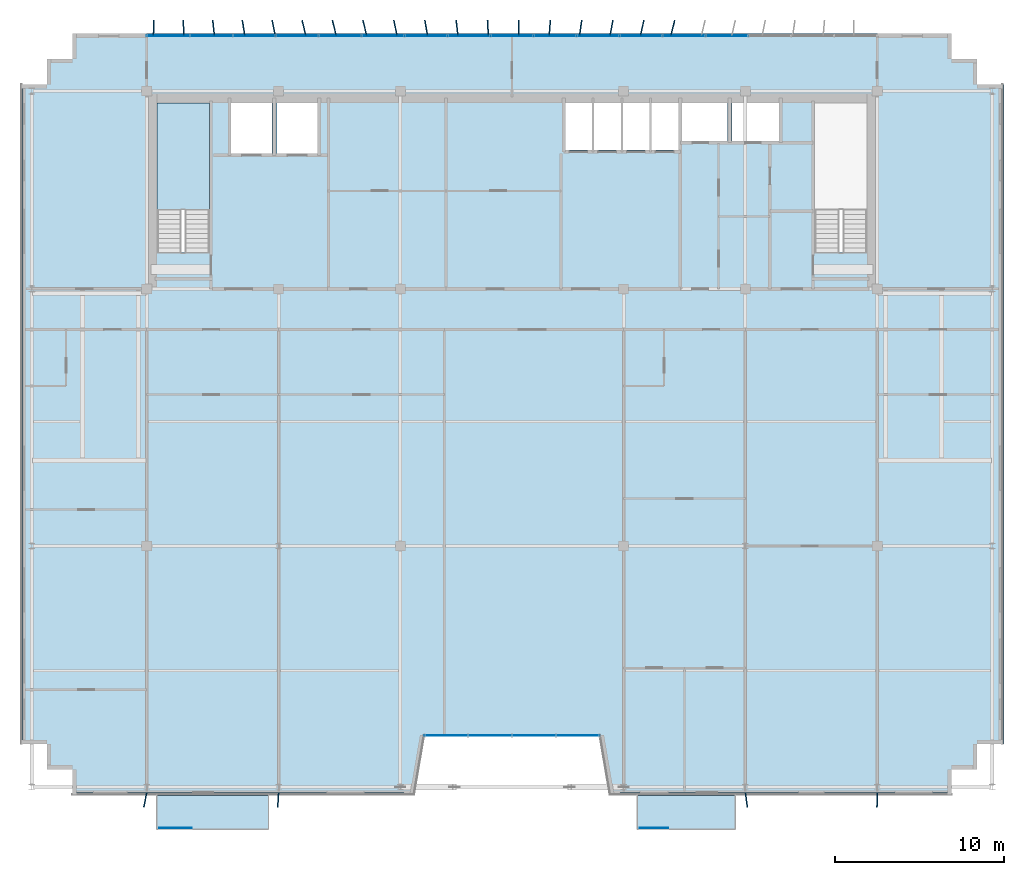
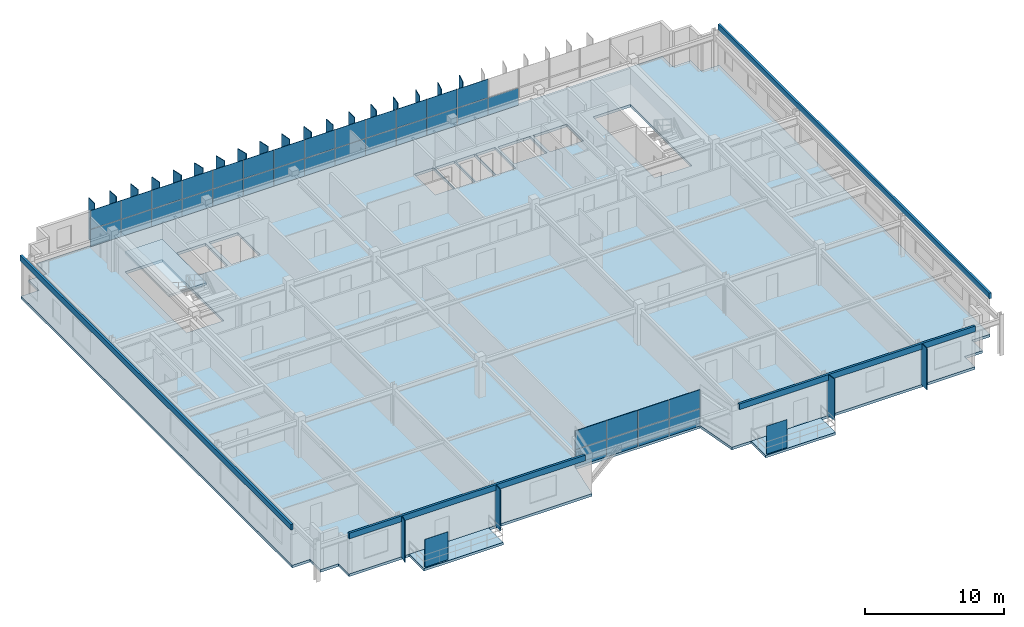
# One storey, part 19 of 26: 63 plates, 4 slabs, 3 elements without a shape of their own.
"""IFC4 building model written with IfcOpenShell, lengths in metres."""

from ifc_helpers import new_model, si_unit, direction, frame, origin, origin_2d, place, context, subcontext, project, spatial, polyline, rectangle, outline, extrude, source, transform, mapped, material, layer, layer_set, type_object, element, aggregate, save


model = new_model("IFC4")

# Units and contexts
model_context = context("Model", 3, precision=1e-05, world=origin(), true_north=direction((0.0, 1.0)))
body_context = subcontext(model_context, "Body", "Model", "MODEL_VIEW")
ifc_project = project(units=[si_unit("LENGTHUNIT", "METRE"), si_unit("AREAUNIT", "SQUARE_METRE"), si_unit("VOLUMEUNIT", "CUBIC_METRE"), si_unit("PLANEANGLEUNIT", "RADIAN"), si_unit("MASSUNIT", "GRAM", prefix="KILO")], contexts=[model_context])

# Site, building, storey
site_placement = place(None, origin())
site = spatial("IfcSite", under=ifc_project, at=site_placement, CompositionType="ELEMENT")
building_placement = place(site_placement, origin())
building = spatial("IfcBuilding", under=site, at=building_placement, Name="Trelvane Seafront Commons", CompositionType="ELEMENT")
storey_placement = place(building_placement, frame((0.0, 0.0, 291.89990234375)))
storey = spatial("IfcBuildingStorey", under=building, at=storey_placement, Name="L76", CompositionType="ELEMENT", Elevation=291.89990234375)

# Slabs
ifc_material_1 = material(Name="Concrete C40/50", Category="concrete")
ifc_layer_1 = layer(ifc_material_1, 0.219970703125, Name="ARCH-BALC-220")
ifc_layer_set_1 = layer_set([ifc_layer_1], Name="Concrete C40/50")
slab_type_1 = type_object("IfcSlabType", Name="ARCH-BALC-220", PredefinedType="FLOOR", material=ifc_layer_set_1)
slab_1_placement = place(storey_placement, frame((0.0, 0.0, -0.219970703125)))
element("IfcSlab", 1, at=slab_1_placement, inside=storey, type_object=slab_type_1, Name="L76 Cantilevered Tree Balcony Loggia 1", PredefinedType="FLOOR", context=body_context, shape_type="SweptSolid", body=[
    extrude(outline(polyline([(16.199951171875, 1.39990234375), (22.800048828125, 1.39990234375), (22.800048828125, 3.5), (16.199951171875, 3.5), (16.199951171875, 1.39990234375)])), origin(), (0.0, 0.0, 1.0), 0.219970703125),
])
slab_2_placement = place(storey_placement, frame((0.0, 0.0, -0.219970703125)))
element("IfcSlab", 2, at=slab_2_placement, inside=storey, type_object=slab_type_1, Name="L76 Cantilevered Tree Balcony Loggia 2", PredefinedType="FLOOR", context=body_context, shape_type="SweptSolid", body=[
    extrude(outline(polyline([(44.60009765625, 1.39990234375), (50.39990234375, 1.39990234375), (50.39990234375, 3.5), (44.60009765625, 3.5), (44.60009765625, 1.39990234375)])), origin(), (0.0, 0.0, 1.0), 0.219970703125),
])

# Stair, slab
stair_type = type_object("IfcStairType", Name="ARCH-STR-ST-1-R20-180", PredefinedType="HALF_TURN_STAIR", material=ifc_material_1)
stair_placement = place(storey_placement, origin())
stair = element("IfcStair", 3, at=stair_placement, inside=storey, type_object=stair_type, Name="L76 West Protected Firefighting Exit Stair ST-1", PredefinedType="HALF_TURN_STAIR")
ifc_layer_2 = layer(ifc_material_1, 0.199951171875, Name="ARCH-LND-200")
ifc_layer_set_2 = layer_set([ifc_layer_2], Name="Concrete C40/50")
slab_type_2 = type_object("IfcSlabType", Name="ARCH-LND-200", PredefinedType="LANDING", material=ifc_layer_set_2)
slab_3_placement = place(storey_placement, frame((0.0, 0.0, 1.60009765625)))
slab_3 = element("IfcSlab", 4, at=slab_3_placement, type_object=slab_type_2, Name="ST-1 landing 1", PredefinedType="LANDING", context=body_context, shape_type="SweptSolid", body=[
    extrude(outline(polyline([(19.300048828125, 38.070068359375), (19.300048828125, 44.39990234375), (16.199951171875, 44.39990234375), (16.199951171875, 38.070068359375), (19.300048828125, 38.070068359375)])), origin(), (0.0, 0.0, 1.0), 0.199951171875),
])
aggregate(stair, [slab_3])

# Slab
ifc_material_2 = material(Name="Concrete C50/60", Category="concrete")
ifc_layer_3 = layer(ifc_material_2, 0.22998046875, Name="STR-SLB-Z5-230")
ifc_layer_set_3 = layer_set([ifc_layer_3], Name="Concrete C50/60")
slab_type_3 = type_object("IfcSlabType", Name="STR-SLB-Z5-230", PredefinedType="FLOOR", material=ifc_layer_set_3)
slab_4_placement = place(storey_placement, frame((0.0, 0.0, -0.22998046875)))
element("IfcSlab", 5, at=slab_4_placement, inside=storey, type_object=slab_type_3, Name="L76 Structural Floor Slab", PredefinedType="FLOOR", context=body_context, shape_type="SweptSolid", body=[
    extrude(outline(polyline([(11.199951171875, 3.5), (31.39990234375, 3.5), (32.0, 7.0), (42.39990234375, 7.0), (43.0, 3.5), (63.199951171875, 3.5), (63.199951171875, 5.0), (64.699951171875, 5.0), (64.699951171875, 6.5), (66.199951171875, 6.5), (66.199951171875, 45.5), (64.699951171875, 45.5), (64.699951171875, 47.0), (63.199951171875, 47.0), (63.199951171875, 48.5), (11.199951171875, 48.5), (11.199951171875, 47.0), (9.699951171875, 47.0), (9.699951171875, 45.5), (8.199951171875, 45.5), (8.199951171875, 6.5), (9.699951171875, 6.5), (9.699951171875, 5.0), (11.199951171875, 5.0), (11.199951171875, 3.5)]), holes=[polyline([(19.300048828125, 35.550048828125), (16.199951171875, 35.550048828125), (16.199951171875, 44.39990234375), (19.300048828125, 44.39990234375), (19.300048828125, 35.550048828125)]), polyline([(58.199951171875, 35.550048828125), (55.10009765625, 35.550048828125), (55.10009765625, 44.39990234375), (58.199951171875, 44.39990234375), (58.199951171875, 35.550048828125)]), polyline([(23.0, 41.39990234375), (20.60009765625, 41.39990234375), (20.60009765625, 44.60009765625), (23.0, 44.60009765625), (23.0, 41.39990234375)]), polyline([(23.300048828125, 41.39990234375), (23.300048828125, 44.60009765625), (25.699951171875, 44.60009765625), (25.699951171875, 41.39990234375), (23.300048828125, 41.39990234375)]), polyline([(40.35009765625, 41.60009765625), (40.35009765625, 44.60009765625), (41.969970703125, 44.60009765625), (41.969970703125, 41.60009765625), (40.35009765625, 41.60009765625)]), polyline([(43.669921875, 41.60009765625), (42.050048828125, 41.60009765625), (42.050048828125, 44.60009765625), (43.669921875, 44.60009765625), (43.669921875, 41.60009765625)]), polyline([(45.3701171875, 41.60009765625), (43.75, 41.60009765625), (43.75, 44.60009765625), (45.3701171875, 44.60009765625), (45.3701171875, 41.60009765625)]), polyline([(47.070068359375, 41.60009765625), (45.449951171875, 41.60009765625), (45.449951171875, 44.60009765625), (47.070068359375, 44.60009765625), (47.070068359375, 41.60009765625)]), polyline([(47.25, 42.14990234375), (47.25, 44.550048828125), (49.949951171875, 44.550048828125), (49.949951171875, 42.14990234375), (47.25, 42.14990234375)]), polyline([(50.199951171875, 42.14990234375), (50.199951171875, 44.550048828125), (53.0, 44.550048828125), (53.0, 42.14990234375), (50.199951171875, 42.14990234375)])]), origin(), (0.0, 0.0, 1.0), 0.22998046875),
])

# Plates
ifc_material_3 = material(Name="Perforated anodised aluminium screen", Category="aluminium")
ifc_layer_4 = layer(ifc_material_3, 0.01611328125, Name="ARCH-PLATE-SCREEN")
ifc_layer_set_4 = layer_set([ifc_layer_4], Name="Perforated anodised aluminium screen")
plate_type_1 = type_object("IfcPlateType", Name="ARCH-PLATE-SCREEN", PredefinedType="USERDEFINED", material=ifc_layer_set_4)
shared_shape_1 = source(origin(), body_context, "Body", "SweptSolid", [
    extrude(rectangle(XDim=1.9140625, YDim=0.01611328125, at=origin_2d()), origin(), (0.0, 0.0, 1.0), 2.449951171875),
])
plate_1_placement = place(storey_placement, frame((17.306884765625, 1.52001953125, 0.0), z_axis=(0.0, 0.0, 1.0), x_axis=(1.0, 0.0, 0.0)))
element("IfcPlate", 6, at=plate_1_placement, inside=storey, type_object=plate_type_1, Name="SCR-L76-00264", ObjectType="SCREEN", PredefinedType="USERDEFINED", context=body_context, shape_type="MappedRepresentation", body=[
    mapped(shared_shape_1, transform((0.0, 0.0, 0.0), x_axis=(1.0, 0.0, 0.0), y_axis=(0.0, 1.0, 0.0), z_axis=(0.0, 0.0, 1.0), scale=1.0)),
])
shared_shape_2 = source(origin(), body_context, "Body", "SweptSolid", [
    extrude(rectangle(XDim=1.681884765625, YDim=0.01611328125, at=origin_2d()), origin(), (0.0, 0.0, 1.0), 2.449951171875),
])
plate_2_placement = place(storey_placement, frame((45.591064453125, 1.52001953125, 0.0), z_axis=(0.0, 0.0, 1.0), x_axis=(1.0, 0.0, 0.0)))
element("IfcPlate", 7, at=plate_2_placement, inside=storey, type_object=plate_type_1, Name="SCR-L76-00265", ObjectType="SCREEN", PredefinedType="USERDEFINED", context=body_context, shape_type="MappedRepresentation", body=[
    mapped(shared_shape_2, transform((0.0, 0.0, 0.0), x_axis=(1.0, 0.0, 0.0), y_axis=(0.0, 1.0, 0.0), z_axis=(0.0, 0.0, 1.0), scale=1.0)),
])
ifc_material_4 = material(Name="Anodised pale-silver aluminium", Category="aluminium")
ifc_layer_5 = layer(ifc_material_4, 0.06005859375, Name="ARCH-PLATE-FIN900")
ifc_layer_set_5 = layer_set([ifc_layer_5], Name="Anodised pale-silver aluminium")
plate_type_2 = type_object("IfcPlateType", Name="ARCH-PLATE-FIN900", PredefinedType="USERDEFINED", material=ifc_layer_set_5)
shared_shape_3 = source(origin(), body_context, "Body", "SweptSolid", [
    extrude(rectangle(XDim=0.89990234375, YDim=0.06005859375, at=origin_2d()), origin(), (0.0, 0.0, 1.0), 3.639892578125),
])
for number, where, z_axis, x_axis, name in (
    (8, (16.009765625, 48.849853515625, -0.02001953125), (0.0, 0.0, 1.0), (0.021444961801, 0.999770030364, 0.0), "FIN-L76-02125"),
    (9, (17.77978515625, 48.849609375, -0.02001953125), (0.0, 0.0, 1.0), (-0.044998586815, 0.998987050559, 0.0), "FIN-L76-02126"),
    (10, (19.551513671875, 48.847412109375, -0.02001953125), (0.0, 0.0, 1.0), (-0.107895247869, 0.994162268187, 0.0), "FIN-L76-02127"),
    (11, (21.326904296875, 48.843994140625, -0.02001953125), (0.0, 0.0, 1.0), (-0.162561392674, 0.986698430936, 0.0), "FIN-L76-02128"),
    (12, (23.10791015625, 48.840576171875, -0.02001953125), (0.0, 0.0, 1.0), (-0.204784770297, 0.978807027894, 0.0), "FIN-L76-02129"),
    (13, (24.895751953125, 48.837646484375, -0.02001953125), (0.0, 0.0, 1.0), (-0.231775068431, 0.972769406208, 0.0), "FIN-L76-02130"),
    (14, (26.691162109375, 48.836669921875, -0.02001953125), (0.0, 0.0, 1.0), (-0.241881251735, 0.970305859025, 0.0), "FIN-L76-02131"),
    (15, (28.49462890625, 48.83740234375, -0.02001953125), (0.0, 0.0, 1.0), (-0.234343033126, 0.97215397074, 0.0), "FIN-L76-02132"),
    (16, (30.3056640625, 48.840087890625, -0.02001953125), (0.0, 0.0, 1.0), (-0.209666346157, 0.977772991696, 0.0), "FIN-L76-02133"),
    (17, (32.123779296875, 48.843505859375, -0.02001953125), (0.0, 0.0, 1.0), (-0.169442389567, 0.985540093866, 0.0), "FIN-L76-02134"),
    (18, (33.947509765625, 48.846923828125, -0.02001953125), (0.0, 0.0, 1.0), (-0.116441923913, 0.993197502189, 0.0), "FIN-L76-02135"),
    (19, (35.775390625, 48.849365234375, -0.02001953125), (0.0, 0.0, 1.0), (-0.054331513663, 0.998522952477, 0.0), "FIN-L76-02136"),
    (20, (37.60546875, 48.849853515625, -0.02001953125), (0.0, 0.0, 1.0), (0.011888902772, 0.999929324498, 0.0), "FIN-L76-02137"),
    (21, (39.434814453125, 48.8486328125, -0.02001953125), (0.0, 0.0, 1.0), (0.077223672025, 0.997013793525, 0.0), "FIN-L76-02138"),
    (22, (41.261474609375, 48.845703125, -0.02001953125), (0.0, 0.0, 1.0), (0.136550718626, 0.990633081036, 0.0), "FIN-L76-02139"),
    (23, (43.08349609375, 48.84228515625, -0.02001953125), (0.0, 0.0, 1.0), (0.18544194778, 0.982655221328, 0.0), "FIN-L76-02140"),
    (24, (44.899169921875, 48.8388671875, -0.02001953125), (0.0, 0.0, 1.0), (0.220329723955, 0.97542545217, 0.0), "FIN-L76-02141"),
    (25, (46.70751953125, 48.8369140625, -0.02001953125), (0.0, 0.0, 1.0), (0.239004625323, 0.971018428803, 0.0), "FIN-L76-02142"),
):
    element("IfcPlate", number, at=place(storey_placement, frame(where, z_axis=z_axis, x_axis=x_axis)), inside=storey, type_object=plate_type_2, Name=name, ObjectType="FIN", PredefinedType="USERDEFINED", context=body_context, shape_type="MappedRepresentation", body=[
        mapped(shared_shape_3, transform((0.0, 0.0, 0.0), x_axis=(1.0, 0.0, 0.0), y_axis=(0.0, 1.0, 0.0), z_axis=(0.0, 0.0, 1.0), scale=1.0)),
    ])
shared_shape_4 = source(origin(), body_context, "Body", "SweptSolid", [
    extrude(rectangle(XDim=0.85009765625, YDim=0.06005859375, at=origin_2d()), origin(), (0.0, 0.0, 1.0), 3.639892578125),
])
for number, where, z_axis, x_axis, name in (
    (26, (15.515625, 3.18359375, -0.02001953125), (0.0, 0.0, 1.0), (-0.198694032579, -0.980061570218, 0.0), "FIN-S-L76-02149"),
    (27, (23.373291015625, 3.17578125, -0.02001953125), (0.0, 0.0, 1.0), (-0.062473493253, -0.998046623481, 0.0), "FIN-S-L76-02150"),
    (28, (51.05859375, 3.17919921875, -0.02001953125), (0.0, 0.0, 1.0), (0.137648537407, -0.990481135686, 0.0), "FIN-S-L76-02151"),
    (29, (58.78955078125, 3.17529296875, -0.02001953125), (0.0, 0.0, 1.0), (-0.024353661706, -0.999703405597, 0.0), "FIN-S-L76-02152"),
):
    element("IfcPlate", number, at=place(storey_placement, frame(where, z_axis=z_axis, x_axis=x_axis)), inside=storey, type_object=plate_type_2, Name=name, ObjectType="FIN", PredefinedType="USERDEFINED", context=body_context, shape_type="MappedRepresentation", body=[
        mapped(shared_shape_4, transform((0.0, 0.0, 0.0), x_axis=(1.0, 0.0, 0.0), y_axis=(0.0, 1.0, 0.0), z_axis=(0.0, 0.0, 1.0), scale=1.0)),
    ])

# Curtain wall, plates
curtain_wall_type_1 = type_object("IfcCurtainWallType", Name="ARCH-CW5-UPTOWER", PredefinedType="NOTDEFINED", material=ifc_material_4)
curtain_wall_1_placement = place(storey_placement, origin())
curtain_wall_1 = element("IfcCurtainWall", 30, at=curtain_wall_1_placement, inside=storey, type_object=curtain_wall_type_1, Name="CW-L76-0120", PredefinedType="NOTDEFINED")
ifc_material_5 = material(Name="Low-E coastal double glazing", Category="glass")
ifc_layer_6 = layer(ifc_material_5, 0.033935546875, Name="ARCH-CW-GLAZ-34")
ifc_layer_set_6 = layer_set([ifc_layer_6], Name="Low-E coastal double glazing")
plate_type_3 = type_object("IfcPlateType", Name="ARCH-CW-GLAZ-34", PredefinedType="CURTAIN_PANEL", material=ifc_layer_set_6)
shared_shape_5 = source(origin(), body_context, "Body", "SweptSolid", [
    extrude(rectangle(XDim=2.51708984375, YDim=0.033935546875, at=origin_2d()), origin(), (0.0, 0.0, 1.0), 1.508056640625),
])
plate_3_placement = place(storey_placement, frame((16.87060546875, 48.3701171875, 0.0), z_axis=(0.0, 0.0, 1.0), x_axis=(1.0, 0.0, 0.0)))
plate_3 = element("IfcPlate", 31, at=plate_3_placement, type_object=plate_type_3, Name="CW-L76-0120-P00-1", PredefinedType="CURTAIN_PANEL", context=body_context, shape_type="MappedRepresentation", body=[
    mapped(shared_shape_5, transform((0.0, 0.0, 0.0), x_axis=(1.0, 0.0, 0.0), y_axis=(0.0, 1.0, 0.0), z_axis=(0.0, 0.0, 1.0), scale=1.0)),
])
plate_4_placement = place(storey_placement, frame((19.411865234375, 48.3701171875, 0.0), z_axis=(0.0, 0.0, 1.0), x_axis=(1.0, 0.0, 0.0)))
plate_4 = element("IfcPlate", 32, at=plate_4_placement, type_object=plate_type_3, Name="CW-L76-0120-P01-1", PredefinedType="CURTAIN_PANEL", context=body_context, shape_type="MappedRepresentation", body=[
    mapped(shared_shape_5, transform((0.0, 0.0, 0.0), x_axis=(1.0, 0.0, 0.0), y_axis=(0.0, 1.0, 0.0), z_axis=(0.0, 0.0, 1.0), scale=1.0)),
])
plate_5_placement = place(storey_placement, frame((21.952880859375, 48.3701171875, 0.0), z_axis=(0.0, 0.0, 1.0), x_axis=(1.0, 0.0, 0.0)))
plate_5 = element("IfcPlate", 33, at=plate_5_placement, type_object=plate_type_3, Name="CW-L76-0120-P02-1", PredefinedType="CURTAIN_PANEL", context=body_context, shape_type="MappedRepresentation", body=[
    mapped(shared_shape_5, transform((0.0, 0.0, 0.0), x_axis=(1.0, 0.0, 0.0), y_axis=(0.0, 1.0, 0.0), z_axis=(0.0, 0.0, 1.0), scale=1.0)),
])
plate_6_placement = place(storey_placement, frame((24.494140625, 48.3701171875, 0.0), z_axis=(0.0, 0.0, 1.0), x_axis=(1.0, 0.0, 0.0)))
plate_6 = element("IfcPlate", 34, at=plate_6_placement, type_object=plate_type_3, Name="CW-L76-0120-P03-1", PredefinedType="CURTAIN_PANEL", context=body_context, shape_type="MappedRepresentation", body=[
    mapped(shared_shape_5, transform((0.0, 0.0, 0.0), x_axis=(1.0, 0.0, 0.0), y_axis=(0.0, 1.0, 0.0), z_axis=(0.0, 0.0, 1.0), scale=1.0)),
])
plate_7_placement = place(storey_placement, frame((27.035400390625, 48.3701171875, 0.0), z_axis=(0.0, 0.0, 1.0), x_axis=(1.0, 0.0, 0.0)))
plate_7 = element("IfcPlate", 35, at=plate_7_placement, type_object=plate_type_3, Name="CW-L76-0120-P04-1", PredefinedType="CURTAIN_PANEL", context=body_context, shape_type="MappedRepresentation", body=[
    mapped(shared_shape_5, transform((0.0, 0.0, 0.0), x_axis=(1.0, 0.0, 0.0), y_axis=(0.0, 1.0, 0.0), z_axis=(0.0, 0.0, 1.0), scale=1.0)),
])
plate_8_placement = place(storey_placement, frame((29.576416015625, 48.3701171875, 0.0), z_axis=(0.0, 0.0, 1.0), x_axis=(1.0, 0.0, 0.0)))
plate_8 = element("IfcPlate", 36, at=plate_8_placement, type_object=plate_type_3, Name="CW-L76-0120-P05-1", PredefinedType="CURTAIN_PANEL", context=body_context, shape_type="MappedRepresentation", body=[
    mapped(shared_shape_5, transform((0.0, 0.0, 0.0), x_axis=(1.0, 0.0, 0.0), y_axis=(0.0, 1.0, 0.0), z_axis=(0.0, 0.0, 1.0), scale=1.0)),
])
plate_9_placement = place(storey_placement, frame((32.11767578125, 48.3701171875, 0.0), z_axis=(0.0, 0.0, 1.0), x_axis=(1.0, 0.0, 0.0)))
plate_9 = element("IfcPlate", 37, at=plate_9_placement, type_object=plate_type_3, Name="CW-L76-0120-P06-1", PredefinedType="CURTAIN_PANEL", context=body_context, shape_type="MappedRepresentation", body=[
    mapped(shared_shape_5, transform((0.0, 0.0, 0.0), x_axis=(1.0, 0.0, 0.0), y_axis=(0.0, 1.0, 0.0), z_axis=(0.0, 0.0, 1.0), scale=1.0)),
])
plate_10_placement = place(storey_placement, frame((34.65869140625, 48.3701171875, 0.0), z_axis=(0.0, 0.0, 1.0), x_axis=(1.0, 0.0, 0.0)))
plate_10 = element("IfcPlate", 38, at=plate_10_placement, type_object=plate_type_3, Name="CW-L76-0120-P07-1", PredefinedType="CURTAIN_PANEL", context=body_context, shape_type="MappedRepresentation", body=[
    mapped(shared_shape_5, transform((0.0, 0.0, 0.0), x_axis=(1.0, 0.0, 0.0), y_axis=(0.0, 1.0, 0.0), z_axis=(0.0, 0.0, 1.0), scale=1.0)),
])
plate_11_placement = place(storey_placement, frame((37.199951171875, 48.3701171875, 0.0), z_axis=(0.0, 0.0, 1.0), x_axis=(1.0, 0.0, 0.0)))
plate_11 = element("IfcPlate", 39, at=plate_11_placement, type_object=plate_type_3, Name="CW-L76-0120-P08-1", PredefinedType="CURTAIN_PANEL", context=body_context, shape_type="MappedRepresentation", body=[
    mapped(shared_shape_5, transform((0.0, 0.0, 0.0), x_axis=(1.0, 0.0, 0.0), y_axis=(0.0, 1.0, 0.0), z_axis=(0.0, 0.0, 1.0), scale=1.0)),
])
plate_12_placement = place(storey_placement, frame((39.7412109375, 48.3701171875, 0.0), z_axis=(0.0, 0.0, 1.0), x_axis=(1.0, 0.0, 0.0)))
plate_12 = element("IfcPlate", 40, at=plate_12_placement, type_object=plate_type_3, Name="CW-L76-0120-P09-1", PredefinedType="CURTAIN_PANEL", context=body_context, shape_type="MappedRepresentation", body=[
    mapped(shared_shape_5, transform((0.0, 0.0, 0.0), x_axis=(1.0, 0.0, 0.0), y_axis=(0.0, 1.0, 0.0), z_axis=(0.0, 0.0, 1.0), scale=1.0)),
])
plate_13_placement = place(storey_placement, frame((42.282470703125, 48.3701171875, 0.0), z_axis=(0.0, 0.0, 1.0), x_axis=(1.0, 0.0, 0.0)))
plate_13 = element("IfcPlate", 41, at=plate_13_placement, type_object=plate_type_3, Name="CW-L76-0120-P10-1", PredefinedType="CURTAIN_PANEL", context=body_context, shape_type="MappedRepresentation", body=[
    mapped(shared_shape_5, transform((0.0, 0.0, 0.0), x_axis=(1.0, 0.0, 0.0), y_axis=(0.0, 1.0, 0.0), z_axis=(0.0, 0.0, 1.0), scale=1.0)),
])
plate_14_placement = place(storey_placement, frame((44.823486328125, 48.3701171875, 0.0), z_axis=(0.0, 0.0, 1.0), x_axis=(1.0, 0.0, 0.0)))
plate_14 = element("IfcPlate", 42, at=plate_14_placement, type_object=plate_type_3, Name="CW-L76-0120-P11-1", PredefinedType="CURTAIN_PANEL", context=body_context, shape_type="MappedRepresentation", body=[
    mapped(shared_shape_5, transform((0.0, 0.0, 0.0), x_axis=(1.0, 0.0, 0.0), y_axis=(0.0, 1.0, 0.0), z_axis=(0.0, 0.0, 1.0), scale=1.0)),
])
plate_15_placement = place(storey_placement, frame((47.36474609375, 48.3701171875, 0.0), z_axis=(0.0, 0.0, 1.0), x_axis=(1.0, 0.0, 0.0)))
plate_15 = element("IfcPlate", 43, at=plate_15_placement, type_object=plate_type_3, Name="CW-L76-0120-P12-1", PredefinedType="CURTAIN_PANEL", context=body_context, shape_type="MappedRepresentation", body=[
    mapped(shared_shape_5, transform((0.0, 0.0, 0.0), x_axis=(1.0, 0.0, 0.0), y_axis=(0.0, 1.0, 0.0), z_axis=(0.0, 0.0, 1.0), scale=1.0)),
])
plate_16_placement = place(storey_placement, frame((49.906005859375, 48.3701171875, 0.0), z_axis=(0.0, 0.0, 1.0), x_axis=(1.0, 0.0, 0.0)))
plate_16 = element("IfcPlate", 44, at=plate_16_placement, type_object=plate_type_3, Name="CW-L76-0120-P13-1", PredefinedType="CURTAIN_PANEL", context=body_context, shape_type="MappedRepresentation", body=[
    mapped(shared_shape_5, transform((0.0, 0.0, 0.0), x_axis=(1.0, 0.0, 0.0), y_axis=(0.0, 1.0, 0.0), z_axis=(0.0, 0.0, 1.0), scale=1.0)),
])
shared_shape_6 = source(origin(), body_context, "Body", "SweptSolid", [
    extrude(rectangle(XDim=2.51708984375, YDim=0.033935546875, at=origin_2d()), origin(), (0.0, 0.0, 1.0), 1.635986328125),
])
plate_17_placement = place(storey_placement, frame((16.87060546875, 48.3701171875, 1.5439453125), z_axis=(0.0, 0.0, 1.0), x_axis=(1.0, 0.0, 0.0)))
plate_17 = element("IfcPlate", 45, at=plate_17_placement, type_object=plate_type_3, Name="CW-L76-0120-P00-2", PredefinedType="CURTAIN_PANEL", context=body_context, shape_type="MappedRepresentation", body=[
    mapped(shared_shape_6, transform((0.0, 0.0, 0.0), x_axis=(1.0, 0.0, 0.0), y_axis=(0.0, 1.0, 0.0), z_axis=(0.0, 0.0, 1.0), scale=1.0)),
])
plate_18_placement = place(storey_placement, frame((19.411865234375, 48.3701171875, 1.5439453125), z_axis=(0.0, 0.0, 1.0), x_axis=(1.0, 0.0, 0.0)))
plate_18 = element("IfcPlate", 46, at=plate_18_placement, type_object=plate_type_3, Name="CW-L76-0120-P01-2", PredefinedType="CURTAIN_PANEL", context=body_context, shape_type="MappedRepresentation", body=[
    mapped(shared_shape_6, transform((0.0, 0.0, 0.0), x_axis=(1.0, 0.0, 0.0), y_axis=(0.0, 1.0, 0.0), z_axis=(0.0, 0.0, 1.0), scale=1.0)),
])
plate_19_placement = place(storey_placement, frame((21.952880859375, 48.3701171875, 1.5439453125), z_axis=(0.0, 0.0, 1.0), x_axis=(1.0, 0.0, 0.0)))
plate_19 = element("IfcPlate", 47, at=plate_19_placement, type_object=plate_type_3, Name="CW-L76-0120-P02-2", PredefinedType="CURTAIN_PANEL", context=body_context, shape_type="MappedRepresentation", body=[
    mapped(shared_shape_6, transform((0.0, 0.0, 0.0), x_axis=(1.0, 0.0, 0.0), y_axis=(0.0, 1.0, 0.0), z_axis=(0.0, 0.0, 1.0), scale=1.0)),
])
plate_20_placement = place(storey_placement, frame((24.494140625, 48.3701171875, 1.5439453125), z_axis=(0.0, 0.0, 1.0), x_axis=(1.0, 0.0, 0.0)))
plate_20 = element("IfcPlate", 48, at=plate_20_placement, type_object=plate_type_3, Name="CW-L76-0120-P03-2", PredefinedType="CURTAIN_PANEL", context=body_context, shape_type="MappedRepresentation", body=[
    mapped(shared_shape_6, transform((0.0, 0.0, 0.0), x_axis=(1.0, 0.0, 0.0), y_axis=(0.0, 1.0, 0.0), z_axis=(0.0, 0.0, 1.0), scale=1.0)),
])
plate_21_placement = place(storey_placement, frame((27.035400390625, 48.3701171875, 1.5439453125), z_axis=(0.0, 0.0, 1.0), x_axis=(1.0, 0.0, 0.0)))
plate_21 = element("IfcPlate", 49, at=plate_21_placement, type_object=plate_type_3, Name="CW-L76-0120-P04-2", PredefinedType="CURTAIN_PANEL", context=body_context, shape_type="MappedRepresentation", body=[
    mapped(shared_shape_6, transform((0.0, 0.0, 0.0), x_axis=(1.0, 0.0, 0.0), y_axis=(0.0, 1.0, 0.0), z_axis=(0.0, 0.0, 1.0), scale=1.0)),
])
plate_22_placement = place(storey_placement, frame((29.576416015625, 48.3701171875, 1.5439453125), z_axis=(0.0, 0.0, 1.0), x_axis=(1.0, 0.0, 0.0)))
plate_22 = element("IfcPlate", 50, at=plate_22_placement, type_object=plate_type_3, Name="CW-L76-0120-P05-2", PredefinedType="CURTAIN_PANEL", context=body_context, shape_type="MappedRepresentation", body=[
    mapped(shared_shape_6, transform((0.0, 0.0, 0.0), x_axis=(1.0, 0.0, 0.0), y_axis=(0.0, 1.0, 0.0), z_axis=(0.0, 0.0, 1.0), scale=1.0)),
])
plate_23_placement = place(storey_placement, frame((32.11767578125, 48.3701171875, 1.5439453125), z_axis=(0.0, 0.0, 1.0), x_axis=(1.0, 0.0, 0.0)))
plate_23 = element("IfcPlate", 51, at=plate_23_placement, type_object=plate_type_3, Name="CW-L76-0120-P06-2", PredefinedType="CURTAIN_PANEL", context=body_context, shape_type="MappedRepresentation", body=[
    mapped(shared_shape_6, transform((0.0, 0.0, 0.0), x_axis=(1.0, 0.0, 0.0), y_axis=(0.0, 1.0, 0.0), z_axis=(0.0, 0.0, 1.0), scale=1.0)),
])
plate_24_placement = place(storey_placement, frame((34.65869140625, 48.3701171875, 1.5439453125), z_axis=(0.0, 0.0, 1.0), x_axis=(1.0, 0.0, 0.0)))
plate_24 = element("IfcPlate", 52, at=plate_24_placement, type_object=plate_type_3, Name="CW-L76-0120-P07-2", PredefinedType="CURTAIN_PANEL", context=body_context, shape_type="MappedRepresentation", body=[
    mapped(shared_shape_6, transform((0.0, 0.0, 0.0), x_axis=(1.0, 0.0, 0.0), y_axis=(0.0, 1.0, 0.0), z_axis=(0.0, 0.0, 1.0), scale=1.0)),
])
plate_25_placement = place(storey_placement, frame((37.199951171875, 48.3701171875, 1.5439453125), z_axis=(0.0, 0.0, 1.0), x_axis=(1.0, 0.0, 0.0)))
plate_25 = element("IfcPlate", 53, at=plate_25_placement, type_object=plate_type_3, Name="CW-L76-0120-P08-2", PredefinedType="CURTAIN_PANEL", context=body_context, shape_type="MappedRepresentation", body=[
    mapped(shared_shape_6, transform((0.0, 0.0, 0.0), x_axis=(1.0, 0.0, 0.0), y_axis=(0.0, 1.0, 0.0), z_axis=(0.0, 0.0, 1.0), scale=1.0)),
])
plate_26_placement = place(storey_placement, frame((39.7412109375, 48.3701171875, 1.5439453125), z_axis=(0.0, 0.0, 1.0), x_axis=(1.0, 0.0, 0.0)))
plate_26 = element("IfcPlate", 54, at=plate_26_placement, type_object=plate_type_3, Name="CW-L76-0120-P09-2", PredefinedType="CURTAIN_PANEL", context=body_context, shape_type="MappedRepresentation", body=[
    mapped(shared_shape_6, transform((0.0, 0.0, 0.0), x_axis=(1.0, 0.0, 0.0), y_axis=(0.0, 1.0, 0.0), z_axis=(0.0, 0.0, 1.0), scale=1.0)),
])
plate_27_placement = place(storey_placement, frame((42.282470703125, 48.3701171875, 1.5439453125), z_axis=(0.0, 0.0, 1.0), x_axis=(1.0, 0.0, 0.0)))
plate_27 = element("IfcPlate", 55, at=plate_27_placement, type_object=plate_type_3, Name="CW-L76-0120-P10-2", PredefinedType="CURTAIN_PANEL", context=body_context, shape_type="MappedRepresentation", body=[
    mapped(shared_shape_6, transform((0.0, 0.0, 0.0), x_axis=(1.0, 0.0, 0.0), y_axis=(0.0, 1.0, 0.0), z_axis=(0.0, 0.0, 1.0), scale=1.0)),
])
plate_28_placement = place(storey_placement, frame((44.823486328125, 48.3701171875, 1.5439453125), z_axis=(0.0, 0.0, 1.0), x_axis=(1.0, 0.0, 0.0)))
plate_28 = element("IfcPlate", 56, at=plate_28_placement, type_object=plate_type_3, Name="CW-L76-0120-P11-2", PredefinedType="CURTAIN_PANEL", context=body_context, shape_type="MappedRepresentation", body=[
    mapped(shared_shape_6, transform((0.0, 0.0, 0.0), x_axis=(1.0, 0.0, 0.0), y_axis=(0.0, 1.0, 0.0), z_axis=(0.0, 0.0, 1.0), scale=1.0)),
])
plate_29_placement = place(storey_placement, frame((47.36474609375, 48.3701171875, 1.5439453125), z_axis=(0.0, 0.0, 1.0), x_axis=(1.0, 0.0, 0.0)))
plate_29 = element("IfcPlate", 57, at=plate_29_placement, type_object=plate_type_3, Name="CW-L76-0120-P12-2", PredefinedType="CURTAIN_PANEL", context=body_context, shape_type="MappedRepresentation", body=[
    mapped(shared_shape_6, transform((0.0, 0.0, 0.0), x_axis=(1.0, 0.0, 0.0), y_axis=(0.0, 1.0, 0.0), z_axis=(0.0, 0.0, 1.0), scale=1.0)),
])
aggregate(curtain_wall_1, [plate_3, plate_17, plate_4, plate_18, plate_5, plate_19, plate_6, plate_20, plate_7, plate_21, plate_8, plate_22, plate_9, plate_23, plate_10, plate_24, plate_11, plate_25, plate_12, plate_26, plate_13, plate_27, plate_14, plate_28, plate_15, plate_29, plate_16])

# Plates
ifc_layer_7 = layer(ifc_material_4, 0.179931640625, Name="ARCH-PLATE-AERO")
ifc_layer_set_7 = layer_set([ifc_layer_7], Name="Anodised pale-silver aluminium")
plate_type_4 = type_object("IfcPlateType", Name="ARCH-PLATE-AERO", PredefinedType="SHEET", material=ifc_layer_set_7)
shared_shape_7 = source(origin(), body_context, "Body", "SweptSolid", [
    extrude(rectangle(XDim=39.0, YDim=0.179931640625, at=origin_2d()), origin(), (0.0, 0.0, 1.0), 0.5),
])
for number, where, z_axis, x_axis, name in (
    (58, (8.199951171875, 26.0, 3.1201171875), (0.0, 0.0, 1.0), (0.0, 1.0, 0.0), "AER-L76-00262"),
    (59, (66.199951171875, 26.0, 3.1201171875), (0.0, 0.0, 1.0), (0.0, -1.0, 0.0), "AER-L76-00263"),
):
    element("IfcPlate", number, at=place(storey_placement, frame(where, z_axis=z_axis, x_axis=x_axis)), inside=storey, type_object=plate_type_4, Name=name, PredefinedType="SHEET", context=body_context, shape_type="MappedRepresentation", body=[
        mapped(shared_shape_7, transform((0.0, 0.0, 0.0), x_axis=(1.0, 0.0, 0.0), y_axis=(0.0, 1.0, 0.0), z_axis=(0.0, 0.0, 1.0), scale=1.0)),
    ])

# Curtain wall, plates
curtain_wall_type_2 = type_object("IfcCurtainWallType", Name="ARCH-CW3-PORTAL", PredefinedType="NOTDEFINED", material=ifc_material_4)
curtain_wall_2_placement = place(storey_placement, origin())
curtain_wall_2 = element("IfcCurtainWall", 60, at=curtain_wall_2_placement, inside=storey, type_object=curtain_wall_type_2, Name="CW-L76-VN-0121", PredefinedType="NOTDEFINED")
shared_shape_8 = source(origin(), body_context, "Body", "SweptSolid", [
    extrude(rectangle(XDim=2.575927734375, YDim=0.0380859375, at=origin_2d()), origin(), (0.0, 0.0, 1.0), 1.508056640625),
])
plate_30_placement = place(storey_placement, frame((41.10009765625, 7.0, 0.0), z_axis=(0.0, 0.0, 1.0), x_axis=(-1.0, 0.0, 0.0)))
plate_30 = element("IfcPlate", 61, at=plate_30_placement, type_object=plate_type_3, Name="CW-L76-VN-0121-P00-1", PredefinedType="CURTAIN_PANEL", context=body_context, shape_type="MappedRepresentation", body=[
    mapped(shared_shape_8, transform((0.0, 0.0, 0.0), x_axis=(1.0, 0.0, 0.0), y_axis=(0.0, 1.0, 0.0), z_axis=(0.0, 0.0, 1.0), scale=1.0)),
])
plate_31_placement = place(storey_placement, frame((38.5, 7.0, 0.0), z_axis=(0.0, 0.0, 1.0), x_axis=(-1.0, 0.0, 0.0)))
plate_31 = element("IfcPlate", 62, at=plate_31_placement, type_object=plate_type_3, Name="CW-L76-VN-0121-P01-1", PredefinedType="CURTAIN_PANEL", context=body_context, shape_type="MappedRepresentation", body=[
    mapped(shared_shape_8, transform((0.0, 0.0, 0.0), x_axis=(1.0, 0.0, 0.0), y_axis=(0.0, 1.0, 0.0), z_axis=(0.0, 0.0, 1.0), scale=1.0)),
])
plate_32_placement = place(storey_placement, frame((35.89990234375, 7.0, 0.0), z_axis=(0.0, 0.0, 1.0), x_axis=(-1.0, 0.0, 0.0)))
plate_32 = element("IfcPlate", 63, at=plate_32_placement, type_object=plate_type_3, Name="CW-L76-VN-0121-P02-1", PredefinedType="CURTAIN_PANEL", context=body_context, shape_type="MappedRepresentation", body=[
    mapped(shared_shape_8, transform((0.0, 0.0, 0.0), x_axis=(1.0, 0.0, 0.0), y_axis=(0.0, 1.0, 0.0), z_axis=(0.0, 0.0, 1.0), scale=1.0)),
])
plate_33_placement = place(storey_placement, frame((33.300048828125, 7.0, 0.0), z_axis=(0.0, 0.0, 1.0), x_axis=(-1.0, 0.0, 0.0)))
plate_33 = element("IfcPlate", 64, at=plate_33_placement, type_object=plate_type_3, Name="CW-L76-VN-0121-P03-1", PredefinedType="CURTAIN_PANEL", context=body_context, shape_type="MappedRepresentation", body=[
    mapped(shared_shape_8, transform((0.0, 0.0, 0.0), x_axis=(1.0, 0.0, 0.0), y_axis=(0.0, 1.0, 0.0), z_axis=(0.0, 0.0, 1.0), scale=1.0)),
])
shared_shape_9 = source(origin(), body_context, "Body", "SweptSolid", [
    extrude(rectangle(XDim=2.575927734375, YDim=0.0380859375, at=origin_2d()), origin(), (0.0, 0.0, 1.0), 1.635986328125),
])
plate_34_placement = place(storey_placement, frame((41.10009765625, 7.0, 1.5439453125), z_axis=(0.0, 0.0, 1.0), x_axis=(-1.0, 0.0, 0.0)))
plate_34 = element("IfcPlate", 65, at=plate_34_placement, type_object=plate_type_3, Name="CW-L76-VN-0121-P00-2", PredefinedType="CURTAIN_PANEL", context=body_context, shape_type="MappedRepresentation", body=[
    mapped(shared_shape_9, transform((0.0, 0.0, 0.0), x_axis=(1.0, 0.0, 0.0), y_axis=(0.0, 1.0, 0.0), z_axis=(0.0, 0.0, 1.0), scale=1.0)),
])
plate_35_placement = place(storey_placement, frame((38.5, 7.0, 1.5439453125), z_axis=(0.0, 0.0, 1.0), x_axis=(-1.0, 0.0, 0.0)))
plate_35 = element("IfcPlate", 66, at=plate_35_placement, type_object=plate_type_3, Name="CW-L76-VN-0121-P01-2", PredefinedType="CURTAIN_PANEL", context=body_context, shape_type="MappedRepresentation", body=[
    mapped(shared_shape_9, transform((0.0, 0.0, 0.0), x_axis=(1.0, 0.0, 0.0), y_axis=(0.0, 1.0, 0.0), z_axis=(0.0, 0.0, 1.0), scale=1.0)),
])
plate_36_placement = place(storey_placement, frame((35.89990234375, 7.0, 1.5439453125), z_axis=(0.0, 0.0, 1.0), x_axis=(-1.0, 0.0, 0.0)))
plate_36 = element("IfcPlate", 67, at=plate_36_placement, type_object=plate_type_3, Name="CW-L76-VN-0121-P02-2", PredefinedType="CURTAIN_PANEL", context=body_context, shape_type="MappedRepresentation", body=[
    mapped(shared_shape_9, transform((0.0, 0.0, 0.0), x_axis=(1.0, 0.0, 0.0), y_axis=(0.0, 1.0, 0.0), z_axis=(0.0, 0.0, 1.0), scale=1.0)),
])
plate_37_placement = place(storey_placement, frame((33.300048828125, 7.0, 1.5439453125), z_axis=(0.0, 0.0, 1.0), x_axis=(-1.0, 0.0, 0.0)))
plate_37 = element("IfcPlate", 68, at=plate_37_placement, type_object=plate_type_3, Name="CW-L76-VN-0121-P03-2", PredefinedType="CURTAIN_PANEL", context=body_context, shape_type="MappedRepresentation", body=[
    mapped(shared_shape_9, transform((0.0, 0.0, 0.0), x_axis=(1.0, 0.0, 0.0), y_axis=(0.0, 1.0, 0.0), z_axis=(0.0, 0.0, 1.0), scale=1.0)),
])
aggregate(curtain_wall_2, [plate_30, plate_34, plate_31, plate_35, plate_32, plate_36, plate_33, plate_37])

# Plates
shared_shape_10 = source(origin(), body_context, "Body", "SweptSolid", [
    extrude(rectangle(XDim=19.60009765625, YDim=0.179931640625, at=origin_2d()), origin(), (0.0, 0.0, 1.0), 0.5),
])
for number, where, z_axis, x_axis, name in (
    (69, (21.0, 3.5400390625, 3.1201171875), (0.0, 0.0, 1.0), (-1.0, 0.0, 0.0), "AER-S-L76-00266"),
    (70, (53.39990234375, 3.5400390625, 3.1201171875), (0.0, 0.0, 1.0), (-1.0, 0.0, 0.0), "AER-S-L76-00267"),
):
    element("IfcPlate", number, at=place(storey_placement, frame(where, z_axis=z_axis, x_axis=x_axis)), inside=storey, type_object=plate_type_4, Name=name, PredefinedType="SHEET", context=body_context, shape_type="MappedRepresentation", body=[
        mapped(shared_shape_10, transform((0.0, 0.0, 0.0), x_axis=(1.0, 0.0, 0.0), y_axis=(0.0, 1.0, 0.0), z_axis=(0.0, 0.0, 1.0), scale=1.0)),
    ])

save(model, "model.ifc")
